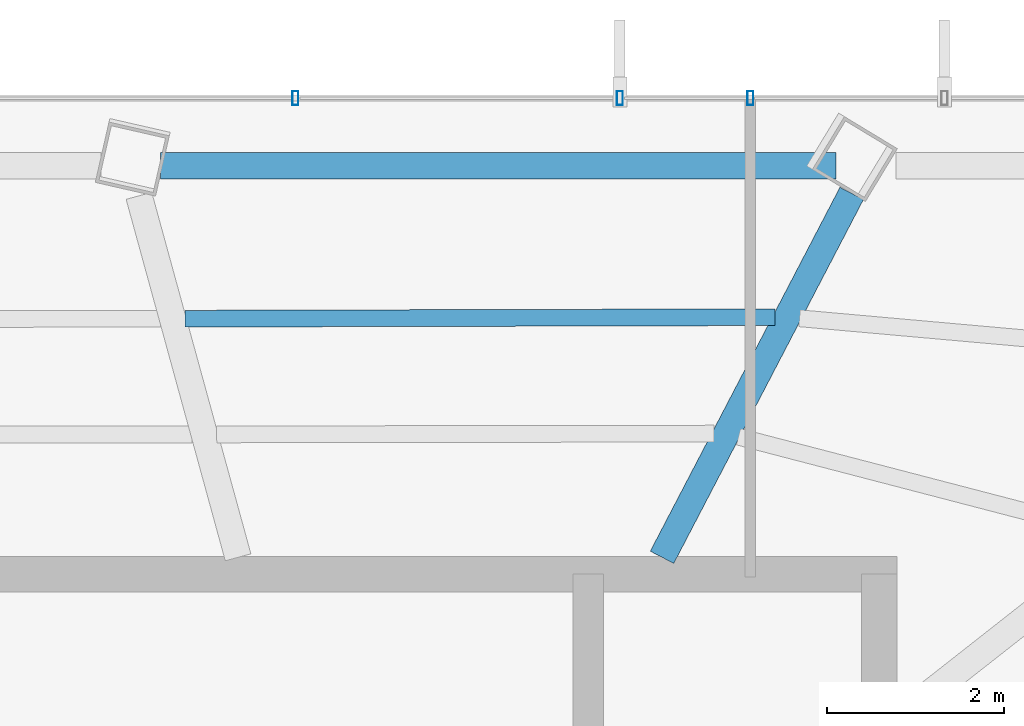
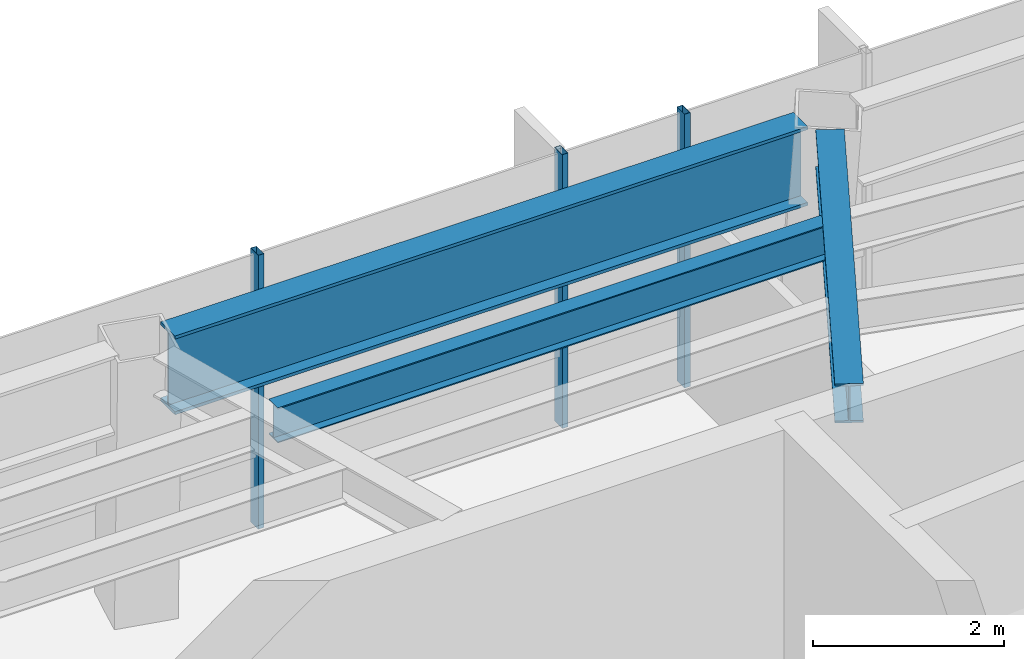
# One storey, part 15 of 27: 3 beams, 3 members, 1 element without a shape of its own.
"""IFC4 building model written with IfcOpenShell, lengths in metres."""

from ifc_helpers import new_model, si_unit, direction, frame, origin, origin_2d, place, context, subcontext, project, spatial, hollow_rectangle, i_section, extrude, material, layer, layer_set, material_profile, profile_set, type_object, element, aggregate, save


model = new_model("IFC4")

# Units and contexts
model_context = context("Model", 3, precision=1e-05, world=origin(), true_north=direction((0.0, 1.0)))
body_context = subcontext(model_context, "Body", "Model", "MODEL_VIEW")
ifc_project = project(units=[si_unit("LENGTHUNIT", "METRE"), si_unit("AREAUNIT", "SQUARE_METRE"), si_unit("VOLUMEUNIT", "CUBIC_METRE"), si_unit("PLANEANGLEUNIT", "RADIAN"), si_unit("MASSUNIT", "GRAM", prefix="KILO")], contexts=[model_context])

# Site, building, storey
site_placement = place(None, origin())
site = spatial("IfcSite", under=ifc_project, at=site_placement, CompositionType="ELEMENT")
building_placement = place(site_placement, origin())
building = spatial("IfcBuilding", under=site, at=building_placement, Name="Zarrinselat Tower", CompositionType="ELEMENT")
storey_placement = place(building_placement, frame((0.0, 0.0, 172.0400390625)))
storey = spatial("IfcBuildingStorey", under=building, at=storey_placement, Name="L42", CompositionType="ELEMENT", Elevation=172.0400390625)

# Beams
ifc_material_1 = material(Name="Steel S355J2", Category="steel")
ifc_material_profile_1 = material_profile(ifc_material_1, i_section(OverallWidth=0.300048828125, OverallDepth=0.5, WebThickness=0.014404296875, FlangeThickness=0.028076171875, at=origin_2d()), Name="HEB 500")
ifc_profile_set_1 = profile_set([ifc_material_profile_1], Name="Steel S355J2")
beam_type_1 = type_object("IfcBeamType", Name="BM-HEB500", PredefinedType="BEAM", material=ifc_profile_set_1)
beam_1_placement = place(storey_placement, frame((45.800048828125, 43.639892578125, 3.25), z_axis=(0.462199624704, 0.886775905696, 0.0), x_axis=(-0.886775905696, 0.462199624704, 0.0)))
element("IfcBeam", 1, at=beam_1_placement, inside=storey, type_object=beam_type_1, Name="L42 Radial Primary Girder RG02", PredefinedType="BEAM", context=body_context, shape_type="SweptSolid", body=[
    extrude(i_section(OverallWidth=0.300048828125, OverallDepth=0.5, WebThickness=0.014404296875, FlangeThickness=0.028076171875, at=origin_2d()), origin(), (0.0, 0.0, 1.0), 4.646240234375),
])
ifc_material_2 = material(Name="Steel S460M", Category="steel")
ifc_material_profile_2 = material_profile(ifc_material_2, i_section(OverallWidth=0.302001953125, OverallDepth=1.008056640625, WebThickness=0.02099609375, FlangeThickness=0.0400390625, at=origin_2d()), Name="HEM 1000")
ifc_profile_set_2 = profile_set([ifc_material_profile_2], Name="Steel S460M")
beam_type_2 = type_object("IfcBeamType", Name="BM-HEM1000", PredefinedType="BEAM", material=ifc_profile_set_2)
beam_2_placement = place(storey_placement, frame((40.122314453125, 48.072265625, 2.995849609375), z_axis=(1.0, 0.0, 0.0), x_axis=(0.0, 1.0, 0.0)))
element("IfcBeam", 2, at=beam_2_placement, inside=storey, type_object=beam_type_2, Name="L42 Perimeter Spandrel Girder SP02", PredefinedType="BEAM", context=body_context, shape_type="SweptSolid", body=[
    extrude(i_section(OverallWidth=0.302001953125, OverallDepth=1.008056640625, WebThickness=0.02099609375, FlangeThickness=0.0400390625, at=origin_2d()), origin(), (0.0, 0.0, 1.0), 7.64990234375),
])
ifc_material_3 = material(Name="Steel S355J2", Category="steel")
ifc_material_profile_3 = material_profile(ifc_material_3, i_section(OverallWidth=0.18994140625, OverallDepth=0.449951171875, WebThickness=0.009521484375, FlangeThickness=0.0146484375, at=origin_2d()), Name="IPE 450")
ifc_profile_set_3 = profile_set([ifc_material_profile_3], Name="Steel S355J2")
beam_type_3 = type_object("IfcBeamType", Name="BM-IPE450", PredefinedType="JOIST", material=ifc_profile_set_3)
beam_3_placement = place(storey_placement, frame((40.399169921875, 46.341552734375, 3.27490234375), z_axis=(0.999996631451, 0.002595589707, 0.0), x_axis=(-0.002595589707, 0.999996631451, 0.0)))
element("IfcBeam", 3, at=beam_3_placement, inside=storey, type_object=beam_type_3, Name="L42 Composite Floor Joist 7-1", PredefinedType="JOIST", context=body_context, shape_type="SweptSolid", body=[
    extrude(i_section(OverallWidth=0.18994140625, OverallDepth=0.449951171875, WebThickness=0.009521484375, FlangeThickness=0.0146484375, at=origin_2d()), origin(), (0.0, 0.0, 1.0), 6.67822265625),
])

# Curtain wall, members
ifc_material_4 = material(Name="Extruded Aluminium Alloy EN AW-6063 T6", Category="aluminium")
ifc_layer = layer(ifc_material_4, 0.175048828125)
ifc_layer_set = layer_set([ifc_layer], Name="Extruded Aluminium Alloy EN AW-6063 T6")
curtain_wall_type = type_object("IfcCurtainWallType", Name="CWS-HTL", PredefinedType="NOTDEFINED", material=ifc_layer_set)
curtain_wall_placement = place(storey_placement, origin())
curtain_wall = element("IfcCurtainWall", 4, at=curtain_wall_placement, inside=storey, type_object=curtain_wall_type, Name="L42 Unitised Curtain Wall CW-L42-E01", PredefinedType="NOTDEFINED")
ifc_material_5 = material(Name="Extruded Aluminium Alloy EN AW-6063 T6", Category="aluminium")
ifc_material_profile_4 = material_profile(ifc_material_5, hollow_rectangle(XDim=0.070068359375, YDim=0.159912109375, WallThickness=0.00390625, at=origin_2d()), Name="RHS 160x70x4")
ifc_profile_set_4 = profile_set([ifc_material_profile_4], Name="Extruded Aluminium Alloy EN AW-6063 T6")
member_type = type_object("IfcMemberType", Name="MEM-CW-MUL2", PredefinedType="MULLION", material=ifc_profile_set_4)
member_1_placement = place(storey_placement, frame((46.800048828125, 48.8388671875, 0.0), z_axis=(0.0, 0.0, 1.0), x_axis=(-1.0, 0.0, 0.0)))
member_1 = element("IfcMember", 5, at=member_1_placement, type_object=member_type, Name="CW-L42-E01 Mullion 4", PredefinedType="MULLION", context=body_context, shape_type="SweptSolid", body=[
    extrude(hollow_rectangle(XDim=0.070068359375, YDim=0.159912109375, WallThickness=0.00390625, at=origin_2d()), origin(), (0.0, 0.0, 1.0), 3.5),
])
member_2_placement = place(storey_placement, frame((45.322998046875, 48.8388671875, 0.0), z_axis=(0.0, 0.0, 1.0), x_axis=(-1.0, 0.0, 0.0)))
member_2 = element("IfcMember", 6, at=member_2_placement, type_object=member_type, Name="CW-L42-E01 Mullion 5", PredefinedType="MULLION", context=body_context, shape_type="SweptSolid", body=[
    extrude(hollow_rectangle(XDim=0.070068359375, YDim=0.159912109375, WallThickness=0.00390625, at=origin_2d()), origin(), (0.0, 0.0, 1.0), 3.5),
])
member_3_placement = place(storey_placement, frame((41.648193359375, 48.8388671875, 0.0), z_axis=(0.0, 0.0, 1.0), x_axis=(-1.0, 0.0, 0.0)))
member_3 = element("IfcMember", 7, at=member_3_placement, type_object=member_type, Name="CW-L42-E01 Mullion 6", PredefinedType="MULLION", context=body_context, shape_type="SweptSolid", body=[
    extrude(hollow_rectangle(XDim=0.070068359375, YDim=0.159912109375, WallThickness=0.00390625, at=origin_2d()), origin(), (0.0, 0.0, 1.0), 3.5),
])
aggregate(curtain_wall, [member_1, member_2, member_3])

save(model, "model.ifc")
